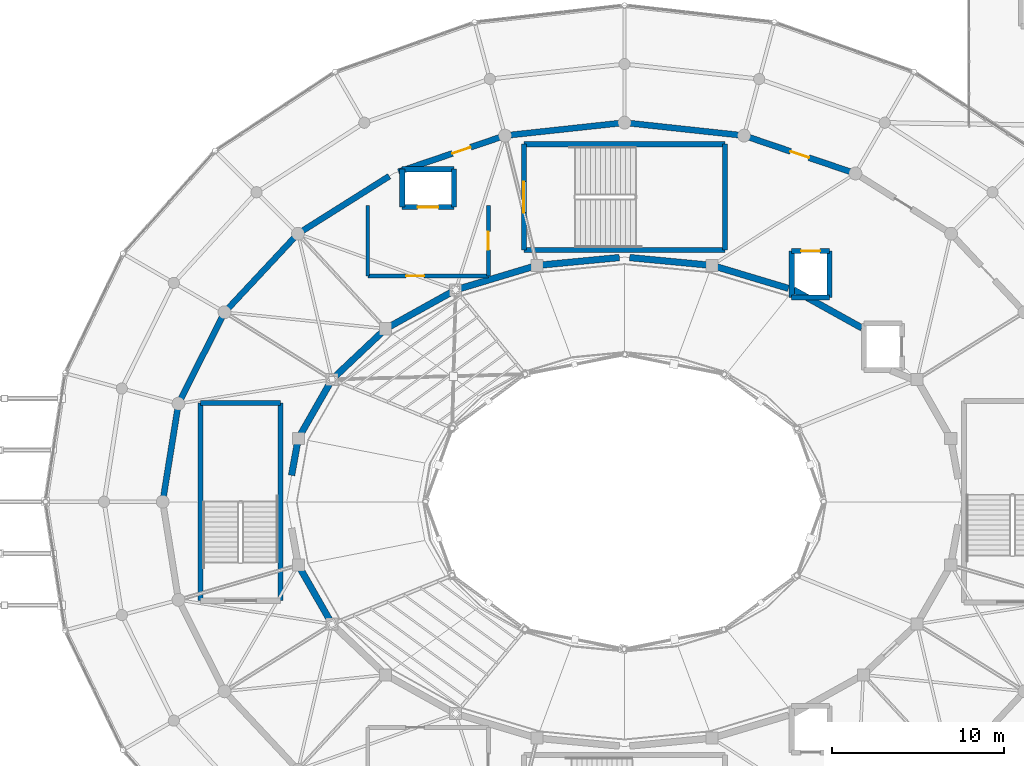
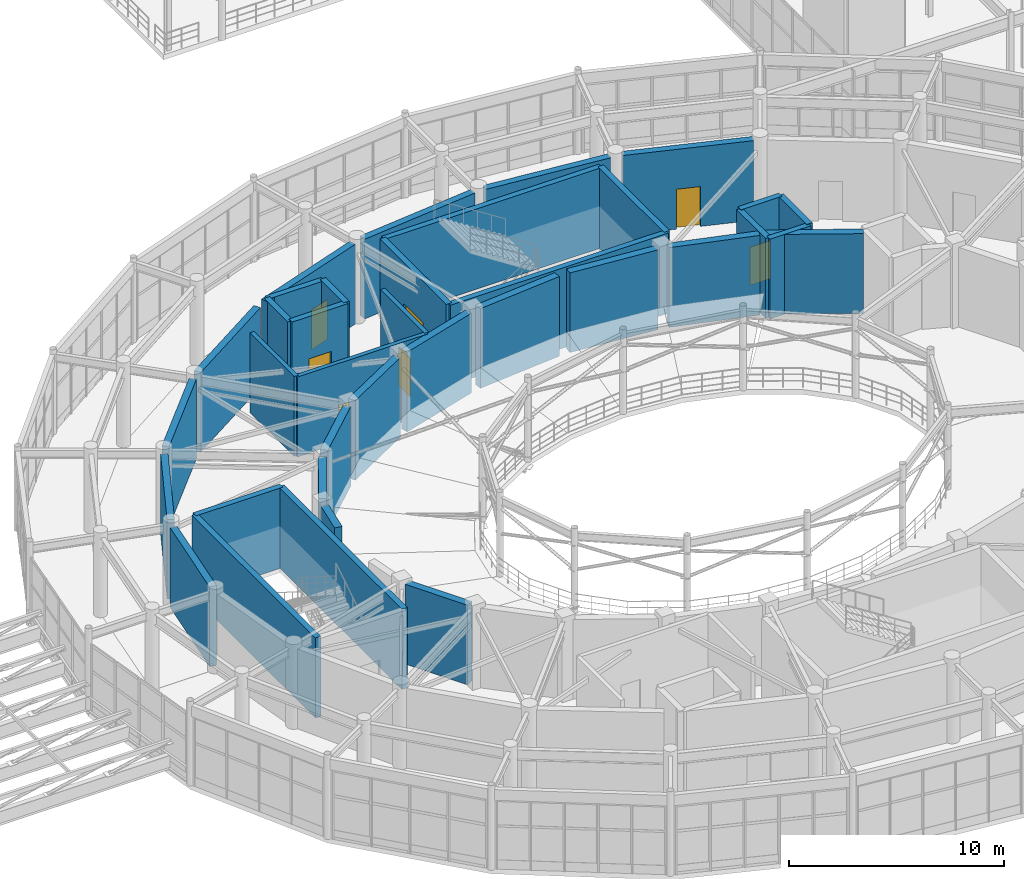
# One storey, part 106 of 144: 36 walls, 7 doors, 7 openings.
"""IFC4 building model written with IfcOpenShell, lengths in metres."""

from ifc_helpers import new_model, si_unit, direction, frame, frame_2d, origin, place, context, subcontext, project, spatial, rectangle, extrude, material, layer, layer_set, type_object, element, fill, save


model = new_model("IFC4")

# Units and contexts
model_context = context("Model", 3, precision=1e-05, world=origin(), true_north=direction((0.0, 1.0)))
body_context = subcontext(model_context, "Body", "Model", "MODEL_VIEW")
ifc_project = project(units=[si_unit("LENGTHUNIT", "METRE"), si_unit("AREAUNIT", "SQUARE_METRE"), si_unit("VOLUMEUNIT", "CUBIC_METRE"), si_unit("PLANEANGLEUNIT", "RADIAN"), si_unit("MASSUNIT", "GRAM", prefix="KILO")], contexts=[model_context])

# Site, building, storey
site_placement = place(None, origin())
site = spatial("IfcSite", under=ifc_project, at=site_placement, CompositionType="ELEMENT")
building_placement = place(site_placement, origin())
building = spatial("IfcBuilding", under=site, at=building_placement, Name="Cinderbank Siding Concert Hall", CompositionType="ELEMENT")
storey_placement = place(building_placement, frame((0.0, 0.0, 5.39990234375)))
storey = spatial("IfcBuildingStorey", under=building, at=storey_placement, Name="L02", CompositionType="ELEMENT", Elevation=5.39990234375)

# Walls
ifc_material_1 = material(Name="Reinforced concrete AS 3600 N50 (50 MPa)", Category="concrete")
ifc_layer_1 = layer(ifc_material_1, 0.3798828125)
ifc_layer_set_1 = layer_set([ifc_layer_1], Name="Reinforced concrete AS 3600 N50 (50 MPa)")
wall_type_1 = type_object("IfcWallType", Name="WL-01 Structural Wall 380mm", PredefinedType="SOLIDWALL", material=ifc_layer_set_1)
wall_1_placement = place(storey_placement, frame((135.77197265625, 54.089599609375, 0.0), z_axis=(0.0, 0.0, 1.0), x_axis=(-0.874028004615, 0.485875546975, 0.0)))
element("IfcWall", 1, at=wall_1_placement, inside=storey, type_object=wall_type_1, Name="L02 Structural Wall SW-E1-L02-04", PredefinedType="SOLIDWALL", context=body_context, shape_type="SweptSolid", body=[
    extrude(rectangle(XDim=4.54443359375, YDim=0.3798828125, at=frame_2d((2.272216796875, 0.0))), origin(), (0.0, 0.0, 1.0), 4.52001953125),
])
wall_2_placement = place(storey_placement, frame((131.5126953125, 56.3837890625, 0.0), z_axis=(0.0, 0.0, 1.0), x_axis=(-0.957796933165, 0.287445707604, 0.0)))
element("IfcWall", 2, at=wall_2_placement, inside=storey, type_object=wall_type_1, Name="L02 Structural Wall SW-E1-L02-05", PredefinedType="SOLIDWALL", context=body_context, shape_type="SweptSolid", body=[
    extrude(rectangle(XDim=4.350341796875, YDim=0.3798828125, at=frame_2d((2.17529296875, 0.0))), origin(), (0.0, 0.0, 1.0), 4.52001953125),
])
for number, where, z_axis, x_axis, name in (
    (3, (126.789306640625, 57.7431640625, 0.0), (0.0, 0.0, 1.0), (-0.995484276796, 0.094926575052, 0.0), "L02 Structural Wall SW-E1-L02-06"),
    (4, (121.701416015625, 58.17138671875, 0.0), (0.0, 0.0, 1.0), (-0.995484276796, -0.094926575052, 0.0), "L02 Structural Wall SW-E1-L02-07"),
):
    element("IfcWall", number, at=place(storey_placement, frame(where, z_axis=z_axis, x_axis=x_axis)), inside=storey, type_object=wall_type_1, Name=name, PredefinedType="SOLIDWALL", context=body_context, shape_type="SweptSolid", body=[
        extrude(rectangle(XDim=4.510986328125, YDim=0.3798828125, at=frame_2d((2.25537109375, 0.0))), origin(), (0.0, 0.0, 1.0), 4.52001953125),
    ])
wall_3_placement = place(storey_placement, frame((116.654052734375, 57.63427734375, 0.0), z_axis=(0.0, 0.0, 1.0), x_axis=(-0.957792414988, -0.287460762177, 0.0)))
element("IfcWall", 5, at=wall_3_placement, inside=storey, type_object=wall_type_1, Name="L02 Structural Wall SW-E1-L02-08", PredefinedType="SOLIDWALL", context=body_context, shape_type="SweptSolid", body=[
    extrude(rectangle(XDim=4.365478515625, YDim=0.3798828125, at=frame_2d((2.1826171875, 0.0))), origin(), (0.0, 0.0, 1.0), 4.52001953125),
])
wall_4_placement = place(storey_placement, frame((111.950927734375, 56.1591796875, 0.0), z_axis=(0.0, 0.0, 1.0), x_axis=(-0.87401308715, -0.485902380618, 0.0)))
element("IfcWall", 6, at=wall_4_placement, inside=storey, type_object=wall_type_1, Name="L02 Structural Wall SW-E1-L02-09", PredefinedType="SOLIDWALL", context=body_context, shape_type="SweptSolid", body=[
    extrude(rectangle(XDim=4.074462890625, YDim=0.3798828125, at=frame_2d((2.037109375, 0.0))), origin(), (0.0, 0.0, 1.0), 4.52001953125),
])
wall_5_placement = place(storey_placement, frame((107.93359375, 53.84521484375, 0.0), z_axis=(0.0, 0.0, 1.0), x_axis=(-0.727127996206, -0.686501913423, 0.0)))
element("IfcWall", 7, at=wall_5_placement, inside=storey, type_object=wall_type_1, Name="L02 Structural Wall SW-E1-L02-10", PredefinedType="SOLIDWALL", context=body_context, shape_type="SweptSolid", body=[
    extrude(rectangle(XDim=3.7138671875, YDim=0.3798828125, at=frame_2d((1.85693359375, 0.0))), origin(), (0.0, 0.0, 1.0), 4.52001953125),
])
wall_6_placement = place(storey_placement, frame((104.884521484375, 50.8525390625, 0.0), z_axis=(0.0, 0.0, 1.0), x_axis=(-0.496318106012, -0.868140736082, 0.0)))
element("IfcWall", 8, at=wall_6_placement, inside=storey, type_object=wall_type_1, Name="L02 Structural Wall SW-E1-L02-11", PredefinedType="SOLIDWALL", context=body_context, shape_type="SweptSolid", body=[
    extrude(rectangle(XDim=3.375, YDim=0.3798828125, at=frame_2d((1.6875, 0.0))), origin(), (0.0, 0.0, 1.0), 4.52001953125),
])
wall_7_placement = place(storey_placement, frame((103.016845703125, 47.394775390625, 0.0), z_axis=(0.0, 0.0, 1.0), x_axis=(-0.178749049923, -0.983894698203, 0.0)))
element("IfcWall", 9, at=wall_7_placement, inside=storey, type_object=wall_type_1, Name="L02 Structural Wall SW-E1-L02-12", PredefinedType="SOLIDWALL", context=body_context, shape_type="SweptSolid", body=[
    extrude(rectangle(XDim=1.890380859375, YDim=0.3798828125, at=frame_2d((0.9453125, 0.0))), origin(), (0.0, 0.0, 1.0), 4.52001953125),
])
wall_8_placement = place(storey_placement, frame((103.20947265625, 40.077392578125, 0.0), z_axis=(0.0, 0.0, 1.0), x_axis=(0.496318106012, -0.868140736082, 0.0)))
element("IfcWall", 10, at=wall_8_placement, inside=storey, type_object=wall_type_1, Name="L02 Structural Wall SW-E1-L02-14", PredefinedType="SOLIDWALL", context=body_context, shape_type="SweptSolid", body=[
    extrude(rectangle(XDim=3.375, YDim=0.3798828125, at=frame_2d((1.6875, 0.0))), origin(), (0.0, 0.0, 1.0), 4.52001953125),
])

# Wall, opening, door
ifc_layer_2 = layer(ifc_material_1, 0.35009765625)
ifc_layer_set_2 = layer_set([ifc_layer_2], Name="Reinforced concrete AS 3600 N50 (50 MPa)")
wall_type_2 = type_object("IfcWallType", Name="WL-02 Structural Wall 350mm", PredefinedType="SHEAR", material=ifc_layer_set_2)
wall_9_placement = place(storey_placement, frame((135.1064453125, 63.15234375, 0.0), z_axis=(0.0, 0.0, 1.0), x_axis=(-0.946758358714, 0.321945042213, 0.0)))
wall_9 = element("IfcWall", 11, at=wall_9_placement, inside=storey, type_object=wall_type_2, Name="L02 Structural Wall SW-E2-L02-05", PredefinedType="SHEAR", context=body_context, shape_type="SweptSolid", body=[
    extrude(rectangle(XDim=6.20703125, YDim=0.35009765625, at=frame_2d((3.103515625, 0.0))), origin(), (0.0, 0.0, 1.0), 4.52001953125),
])
opening_1_placement = place(wall_9_placement, frame((2.54345703125, 0.0, 0.0)))
opening_1 = element("IfcOpeningElement", 12, at=opening_1_placement, cuts=wall_9, Name="Opening D-19", PredefinedType="OPENING", context=body_context, shape_type="SweptSolid", body=[
    extrude(rectangle(XDim=1.1201171875, YDim=2.260009765625, at=frame_2d((0.56005859375, 1.1298828125))), frame((0.0, 0.18701171875, 0.0), z_axis=(0.0, -1.0, 0.0), x_axis=(1.0, 0.0, 0.0)), (0.0, 0.0, 1.0), 0.3740234375),
])
ifc_material_2 = material(Name="Solid-core spotted gum acoustic timber", Category="wood")
door_type_1 = type_object("IfcDoorType", Name="D-19 Interior Door 1120x2260", OperationType="NOTDEFINED", PredefinedType="DOOR", material=ifc_material_2)
door_1_placement = place(opening_1_placement, origin())
door_1 = element("IfcDoor", 13, at=door_1_placement, inside=storey, type_object=door_type_1, Name="L02 Auditorium Sound-Lock Door L02-D135", OperationType="SINGLE_SWING_RIGHT", OverallHeight=2.260009765625, OverallWidth=1.1201171875, PredefinedType="DOOR", context=body_context, shape_type="SweptSolid", body=[
    extrude(rectangle(XDim=1.1201171875, YDim=2.260009765625, at=frame_2d((0.56005859375, 1.1298828125))), frame((0.0, 0.02490234375, 0.0), z_axis=(0.0, -1.0, 0.0), x_axis=(1.0, 0.0, 0.0)), (0.0, 0.0, 1.0), 0.050048828125),
])
fill(opening_1, door_1)

# Walls
for number, where, z_axis, x_axis, name in (
    (14, (128.628173828125, 65.28369140625, 0.0), (0.0, 0.0, 1.0), (-0.99420948753, 0.107459270912, 0.0), "L02 Structural Wall SW-E2-L02-06"),
    (15, (121.69189453125, 65.966796875, 0.0), (0.0, 0.0, 1.0), (-0.99420948753, -0.107459270912, 0.0), "L02 Structural Wall SW-E2-L02-07"),
):
    element("IfcWall", number, at=place(storey_placement, frame(where, z_axis=z_axis, x_axis=x_axis)), inside=storey, type_object=wall_type_2, Name=name, PredefinedType="SHEAR", context=body_context, shape_type="SweptSolid", body=[
        extrude(rectangle(XDim=6.35693359375, YDim=0.35009765625, at=frame_2d((3.178466796875, 0.0))), origin(), (0.0, 0.0, 1.0), 4.52001953125),
    ])

# Wall, opening, door
wall_10_placement = place(storey_placement, frame((114.77001953125, 65.150634765625, 0.0), z_axis=(0.0, 0.0, 1.0), x_axis=(-0.946761494057, -0.321935821821, 0.0)))
wall_10 = element("IfcWall", 16, at=wall_10_placement, inside=storey, type_object=wall_type_2, Name="L02 Structural Wall SW-E2-L02-08", PredefinedType="SHEAR", context=body_context, shape_type="SweptSolid", body=[
    extrude(rectangle(XDim=6.217041015625, YDim=0.35009765625, at=frame_2d((3.1083984375, 0.0))), origin(), (0.0, 0.0, 1.0), 4.52001953125),
])
opening_2_placement = place(wall_10_placement, frame((1.798583984375, 0.0, 0.0)))
opening_2 = element("IfcOpeningElement", 17, at=opening_2_placement, cuts=wall_10, Name="Opening D-19", PredefinedType="OPENING", context=body_context, shape_type="SweptSolid", body=[
    extrude(rectangle(XDim=1.1201171875, YDim=2.260009765625, at=frame_2d((0.56005859375, 1.1298828125))), frame((0.0, 0.18701171875, 0.0), z_axis=(0.0, -1.0, 0.0), x_axis=(1.0, 0.0, 0.0)), (0.0, 0.0, 1.0), 0.3740234375),
])
door_2_placement = place(opening_2_placement, origin())
door_2 = element("IfcDoor", 18, at=door_2_placement, inside=storey, type_object=door_type_1, Name="L02 Auditorium Sound-Lock Door L02-D136", OperationType="SINGLE_SWING_LEFT", OverallHeight=2.260009765625, OverallWidth=1.1201171875, PredefinedType="DOOR", context=body_context, shape_type="SweptSolid", body=[
    extrude(rectangle(XDim=1.1201171875, YDim=2.260009765625, at=frame_2d((0.56005859375, 1.1298828125))), frame((0.0, 0.02490234375, 0.0), z_axis=(0.0, -1.0, 0.0), x_axis=(1.0, 0.0, 0.0)), (0.0, 0.0, 1.0), 0.050048828125),
])
fill(opening_2, door_2)

# Walls
wall_11_placement = place(storey_placement, frame((108.34619140625, 62.892578125, 0.0), z_axis=(0.0, 0.0, 1.0), x_axis=(-0.846132783073, -0.532972150688, 0.0)))
element("IfcWall", 19, at=wall_11_placement, inside=storey, type_object=wall_type_2, Name="L02 Structural Wall SW-E2-L02-09", PredefinedType="SHEAR", context=body_context, shape_type="SweptSolid", body=[
    extrude(rectangle(XDim=5.949951171875, YDim=0.35009765625, at=frame_2d((2.97509765625, 0.0))), origin(), (0.0, 0.0, 1.0), 4.52001953125),
])
wall_12_placement = place(storey_placement, frame((102.837890625, 59.329833984375, 0.0), z_axis=(0.0, 0.0, 1.0), x_axis=(-0.682886399388, -0.730524582427, 0.0)))
element("IfcWall", 20, at=wall_12_placement, inside=storey, type_object=wall_type_2, Name="L02 Structural Wall SW-E2-L02-10", PredefinedType="SHEAR", context=body_context, shape_type="SweptSolid", body=[
    extrude(rectangle(XDim=5.616943359375, YDim=0.35009765625, at=frame_2d((2.80859375, 0.0))), origin(), (0.0, 0.0, 1.0), 4.52001953125),
])
wall_13_placement = place(storey_placement, frame((98.65087890625, 54.72314453125, 0.0), z_axis=(0.0, 0.0, 1.0), x_axis=(-0.450512686904, -0.892770025784, 0.0)))
element("IfcWall", 21, at=wall_13_placement, inside=storey, type_object=wall_type_2, Name="L02 Structural Wall SW-E2-L02-11", PredefinedType="SHEAR", context=body_context, shape_type="SweptSolid", body=[
    extrude(rectangle(XDim=5.3232421875, YDim=0.35009765625, at=frame_2d((2.66162109375, 0.0))), origin(), (0.0, 0.0, 1.0), 4.52001953125),
])
wall_14_placement = place(storey_placement, frame((96.064208984375, 49.387939453125, 0.0), z_axis=(0.0, 0.0, 1.0), x_axis=(-0.158388253677, -0.98737690934, 0.0)))
element("IfcWall", 22, at=wall_14_placement, inside=storey, type_object=wall_type_2, Name="L02 Structural Wall SW-E2-L02-12", PredefinedType="SHEAR", context=body_context, shape_type="SweptSolid", body=[
    extrude(rectangle(XDim=5.146728515625, YDim=0.35009765625, at=frame_2d((2.5732421875, 0.0))), origin(), (0.0, 0.0, 1.0), 4.52001953125),
])

# Wall, opening, door
ifc_layer_3 = layer(ifc_material_1, 0.300048828125)
ifc_layer_set_3 = layer_set([ifc_layer_3], Name="Reinforced concrete AS 3600 N50 (50 MPa)")
wall_type_3 = type_object("IfcWallType", Name="WL-03 Structural Wall 300mm", PredefinedType="SHEAR", material=ifc_layer_set_3)
wall_15_placement = place(storey_placement, frame((116.159912109375, 58.610107421875, 0.0), z_axis=(0.0, 0.0, 1.0), x_axis=(0.0, 1.0, 0.0)))
wall_15 = element("IfcWall", 23, at=wall_15_placement, inside=storey, type_object=wall_type_3, Name="L02 ST-01 Core Wall ENTRY", PredefinedType="SHEAR", context=body_context, shape_type="SweptSolid", body=[
    extrude(rectangle(XDim=6.139892578125, YDim=0.300048828125, at=frame_2d((3.06982421875, 0.0))), origin(), (0.0, 0.0, 1.0), 4.550048828125),
])
opening_3_placement = place(wall_15_placement, frame((2.169921875, 0.0, 0.0)))
opening_3 = element("IfcOpeningElement", 24, at=opening_3_placement, cuts=wall_15, Name="Opening D-05", PredefinedType="OPENING", context=body_context, shape_type="SweptSolid", body=[
    extrude(rectangle(XDim=1.800048828125, YDim=2.199951171875, at=frame_2d((0.89990234375, 1.10009765625))), frame((0.0, 0.162109375, 0.0), z_axis=(0.0, -1.0, 0.0), x_axis=(1.0, 0.0, 0.0)), (0.0, 0.0, 1.0), 0.323974609375),
])
ifc_material_3 = material(Name="Galvanised sheet steel acoustic fire door assembly", Category="steel")
door_type_2 = type_object("IfcDoorType", Name="D-05 Interior Door 1800x2200", OperationType="DOUBLE_DOOR_SINGLE_SWING", PredefinedType="DOOR", material=ifc_material_3)
door_3_placement = place(opening_3_placement, origin())
door_3 = element("IfcDoor", 25, at=door_3_placement, inside=storey, type_object=door_type_2, Name="L02 ST-01 Fire Stair Door L02-D003", OperationType="DOUBLE_DOOR_SINGLE_SWING", OverallHeight=2.199951171875, OverallWidth=1.800048828125, PredefinedType="DOOR", context=body_context, shape_type="SweptSolid", body=[
    extrude(rectangle(XDim=1.800048828125, YDim=2.199951171875, at=frame_2d((0.89990234375, 1.10009765625))), frame((0.0, 0.02490234375, 0.0), z_axis=(0.0, -1.0, 0.0), x_axis=(1.0, 0.0, 0.0)), (0.0, 0.0, 1.0), 0.050048828125),
])
fill(opening_3, door_3)

# Walls
wall_16_placement = place(storey_placement, frame((127.840087890625, 64.75, 0.0), z_axis=(0.0, 0.0, 1.0), x_axis=(0.0, -1.0, 0.0)))
element("IfcWall", 26, at=wall_16_placement, inside=storey, type_object=wall_type_3, Name="L02 ST-01 Core Wall FAR", PredefinedType="SHEAR", context=body_context, shape_type="SweptSolid", body=[
    extrude(rectangle(XDim=6.139892578125, YDim=0.300048828125, at=frame_2d((3.06982421875, 0.0))), origin(), (0.0, 0.0, 1.0), 4.550048828125),
])
for number, where, z_axis, x_axis, name in (
    (27, (127.840087890625, 58.610107421875, 0.0), (0.0, 0.0, 1.0), (-1.0, 0.0, 0.0), "L02 ST-01 Core Wall SIDE1"),
    (28, (116.159912109375, 64.75, 0.0), (0.0, 0.0, 1.0), (1.0, 0.0, 0.0), "L02 ST-01 Core Wall SIDE2"),
):
    element("IfcWall", number, at=place(storey_placement, frame(where, z_axis=z_axis, x_axis=x_axis)), inside=storey, type_object=wall_type_3, Name=name, PredefinedType="SHEAR", context=body_context, shape_type="SweptSolid", body=[
        extrude(rectangle(XDim=11.68017578125, YDim=0.300048828125, at=frame_2d((5.840087890625, 0.0))), origin(), (0.0, 0.0, 1.0), 4.550048828125),
    ])
wall_17_placement = place(storey_placement, frame((97.39990234375, 49.739990234375, 0.0), z_axis=(0.0, 0.0, 1.0), x_axis=(1.0, 0.0, 0.0)))
element("IfcWall", 29, at=wall_17_placement, inside=storey, type_object=wall_type_3, Name="L02 ST-04 Core Wall FAR", PredefinedType="SHEAR", context=body_context, shape_type="SweptSolid", body=[
    extrude(rectangle(XDim=4.64013671875, YDim=0.300048828125, at=frame_2d((2.320068359375, 0.0))), origin(), (0.0, 0.0, 1.0), 4.550048828125),
])
for number, where, z_axis, x_axis, name in (
    (30, (102.0400390625, 49.739990234375, 0.0), (0.0, 0.0, 1.0), (0.0, -1.0, 0.0), "L02 ST-04 Core Wall SIDE1"),
    (31, (97.39990234375, 38.260009765625, 0.0), (0.0, 0.0, 1.0), (0.0, 1.0, 0.0), "L02 ST-04 Core Wall SIDE2"),
):
    element("IfcWall", number, at=place(storey_placement, frame(where, z_axis=z_axis, x_axis=x_axis)), inside=storey, type_object=wall_type_3, Name=name, PredefinedType="SHEAR", context=body_context, shape_type="SweptSolid", body=[
        extrude(rectangle(XDim=11.47998046875, YDim=0.300048828125, at=frame_2d((5.739990234375, 0.0))), origin(), (0.0, 0.0, 1.0), 4.550048828125),
    ])
wall_18_placement = place(storey_placement, frame((133.89990234375, 55.85009765625, 0.0), z_axis=(0.0, 0.0, 1.0), x_axis=(-1.0, 0.0, 0.0)))
element("IfcWall", 32, at=wall_18_placement, inside=storey, type_object=wall_type_3, Name="L02 LF-01 Shaft Wall -Y", PredefinedType="SHEAR", context=body_context, shape_type="SweptSolid", body=[
    extrude(rectangle(XDim=2.199951171875, YDim=0.300048828125, at=frame_2d((1.10009765625, 0.0))), origin(), (0.0, 0.0, 1.0), 4.52001953125),
])
wall_19_placement = place(storey_placement, frame((133.89990234375, 58.550048828125, 0.0), z_axis=(0.0, 0.0, 1.0), x_axis=(0.0, -1.0, 0.0)))
element("IfcWall", 33, at=wall_19_placement, inside=storey, type_object=wall_type_3, Name="L02 LF-01 Shaft Wall +X", PredefinedType="SHEAR", context=body_context, shape_type="SweptSolid", body=[
    extrude(rectangle(XDim=2.699951171875, YDim=0.300048828125, at=frame_2d((1.35009765625, 0.0))), origin(), (0.0, 0.0, 1.0), 4.550048828125),
])

# Wall, opening, door
wall_20_placement = place(storey_placement, frame((131.699951171875, 58.550048828125, 0.0), z_axis=(0.0, 0.0, 1.0), x_axis=(1.0, 0.0, 0.0)))
wall_20 = element("IfcWall", 34, at=wall_20_placement, inside=storey, type_object=wall_type_3, Name="L02 LF-01 Shaft Wall +Y", PredefinedType="SHEAR", context=body_context, shape_type="SweptSolid", body=[
    extrude(rectangle(XDim=2.199951171875, YDim=0.300048828125, at=frame_2d((1.10009765625, 0.0))), origin(), (0.0, 0.0, 1.0), 4.550048828125),
])
opening_4_placement = place(wall_20_placement, frame((0.550048828125, 0.0, 0.0)))
opening_4 = element("IfcOpeningElement", 35, at=opening_4_placement, cuts=wall_20, Name="Opening LD-01", PredefinedType="OPENING", context=body_context, shape_type="SweptSolid", body=[
    extrude(rectangle(XDim=1.10009765625, YDim=2.14990234375, at=frame_2d((0.550048828125, 1.074951171875))), frame((0.0, 0.162109375, 0.0), z_axis=(0.0, -1.0, 0.0), x_axis=(1.0, 0.0, 0.0)), (0.0, 0.0, 1.0), 0.323974609375),
])
door_type_3 = type_object("IfcDoorType", Name="LD-01 Interior Door 1100x2150", OperationType="DOUBLE_DOOR_SLIDING", PredefinedType="DOOR", material=ifc_material_3)
door_4_placement = place(opening_4_placement, origin())
door_4 = element("IfcDoor", 36, at=door_4_placement, inside=storey, type_object=door_type_3, Name="L02 LF-01 Sliding Landing Door", OperationType="DOUBLE_DOOR_SLIDING", OverallHeight=2.14990234375, OverallWidth=1.10009765625, PredefinedType="DOOR", context=body_context, shape_type="SweptSolid", body=[
    extrude(rectangle(XDim=1.10009765625, YDim=2.14990234375, at=frame_2d((0.550048828125, 1.074951171875))), frame((0.0, 0.02490234375, 0.0), z_axis=(0.0, -1.0, 0.0), x_axis=(1.0, 0.0, 0.0)), (0.0, 0.0, 1.0), 0.050048828125),
])
fill(opening_4, door_4)

# Wall
wall_21_placement = place(storey_placement, frame((131.699951171875, 55.85009765625, 0.0), z_axis=(0.0, 0.0, 1.0), x_axis=(0.0, 1.0, 0.0)))
element("IfcWall", 37, at=wall_21_placement, inside=storey, type_object=wall_type_3, Name="L02 LF-01 Shaft Wall -X", PredefinedType="SHEAR", context=body_context, shape_type="SweptSolid", body=[
    extrude(rectangle(XDim=2.699951171875, YDim=0.300048828125, at=frame_2d((1.35009765625, 0.0))), origin(), (0.0, 0.0, 1.0), 4.52001953125),
])

# Wall, opening, door
wall_22_placement = place(storey_placement, frame((112.10009765625, 61.10009765625, 0.0), z_axis=(0.0, 0.0, 1.0), x_axis=(-1.0, 0.0, 0.0)))
wall_22 = element("IfcWall", 38, at=wall_22_placement, inside=storey, type_object=wall_type_3, Name="L02 LF-04 Shaft Wall -Y", PredefinedType="SHEAR", context=body_context, shape_type="SweptSolid", body=[
    extrude(rectangle(XDim=3.0, YDim=0.300048828125, at=frame_2d((1.5, 0.0))), origin(), (0.0, 0.0, 1.0), 4.550048828125),
])
opening_5_placement = place(wall_22_placement, frame((0.89990234375, 0.0, 0.0)))
opening_5 = element("IfcOpeningElement", 39, at=opening_5_placement, cuts=wall_22, Name="Opening LD-02", PredefinedType="OPENING", context=body_context, shape_type="SweptSolid", body=[
    extrude(rectangle(XDim=1.199951171875, YDim=2.14990234375, at=frame_2d((0.60009765625, 1.074951171875))), frame((0.0, 0.162109375, 0.0), z_axis=(0.0, -1.0, 0.0), x_axis=(1.0, 0.0, 0.0)), (0.0, 0.0, 1.0), 0.323974609375),
])
door_type_4 = type_object("IfcDoorType", Name="LD-02 Interior Door 1200x2150", OperationType="DOUBLE_DOOR_SLIDING", PredefinedType="DOOR", material=ifc_material_3)
door_5_placement = place(opening_5_placement, origin())
door_5 = element("IfcDoor", 40, at=door_5_placement, inside=storey, type_object=door_type_4, Name="L02 LF-04 Sliding Landing Door", OperationType="DOUBLE_DOOR_SLIDING", OverallHeight=2.14990234375, OverallWidth=1.199951171875, PredefinedType="DOOR", context=body_context, shape_type="SweptSolid", body=[
    extrude(rectangle(XDim=1.199951171875, YDim=2.14990234375, at=frame_2d((0.60009765625, 1.074951171875))), frame((0.0, 0.02490234375, 0.0), z_axis=(0.0, -1.0, 0.0), x_axis=(1.0, 0.0, 0.0)), (0.0, 0.0, 1.0), 0.050048828125),
])
fill(opening_5, door_5)

# Walls
wall_23_placement = place(storey_placement, frame((112.10009765625, 63.300048828125, 0.0), z_axis=(0.0, 0.0, 1.0), x_axis=(0.0, -1.0, 0.0)))
element("IfcWall", 41, at=wall_23_placement, inside=storey, type_object=wall_type_3, Name="L02 LF-04 Shaft Wall +X", PredefinedType="SHEAR", context=body_context, shape_type="SweptSolid", body=[
    extrude(rectangle(XDim=2.199951171875, YDim=0.300048828125, at=frame_2d((1.10009765625, 0.0))), origin(), (0.0, 0.0, 1.0), 4.550048828125),
])
wall_24_placement = place(storey_placement, frame((109.10009765625, 63.300048828125, 0.0), z_axis=(0.0, 0.0, 1.0), x_axis=(1.0, 0.0, 0.0)))
element("IfcWall", 42, at=wall_24_placement, inside=storey, type_object=wall_type_3, Name="L02 LF-04 Shaft Wall +Y", PredefinedType="SHEAR", context=body_context, shape_type="SweptSolid", body=[
    extrude(rectangle(XDim=3.0, YDim=0.300048828125, at=frame_2d((1.5, 0.0))), origin(), (0.0, 0.0, 1.0), 4.52001953125),
])
wall_25_placement = place(storey_placement, frame((109.10009765625, 61.10009765625, 0.0), z_axis=(0.0, 0.0, 1.0), x_axis=(0.0, 1.0, 0.0)))
element("IfcWall", 43, at=wall_25_placement, inside=storey, type_object=wall_type_3, Name="L02 LF-04 Shaft Wall -X", PredefinedType="SHEAR", context=body_context, shape_type="SweptSolid", body=[
    extrude(rectangle(XDim=2.199951171875, YDim=0.300048828125, at=frame_2d((1.10009765625, 0.0))), origin(), (0.0, 0.0, 1.0), 4.52001953125),
])

# Wall, opening, door
ifc_layer_4 = layer(ifc_material_1, 0.219970703125)
ifc_layer_set_4 = layer_set([ifc_layer_4], Name="Reinforced concrete AS 3600 N50 (50 MPa)")
wall_type_4 = type_object("IfcWallType", Name="WL-06 Interior Wall 220mm", PredefinedType="SOLIDWALL", material=ifc_layer_set_4)
wall_26_placement = place(storey_placement, frame((114.10009765625, 57.10009765625, 0.0), z_axis=(0.0, 0.0, 1.0), x_axis=(-1.0, 0.0, 0.0)))
wall_26 = element("IfcWall", 44, at=wall_26_placement, inside=storey, type_object=wall_type_4, Name="L02 Firefighting Lobby Wall FFLN-S", PredefinedType="SOLIDWALL", context=body_context, shape_type="SweptSolid", body=[
    extrude(rectangle(XDim=7.0, YDim=0.219970703125, at=frame_2d((3.5, 0.0))), origin(), (0.0, 0.0, 1.0), 4.53515625),
])
opening_6_placement = place(wall_26_placement, frame((3.72509765625, 0.0, 0.0)))
opening_6 = element("IfcOpeningElement", 45, at=opening_6_placement, cuts=wall_26, Name="Opening D-02", PredefinedType="OPENING", context=body_context, shape_type="SweptSolid", body=[
    extrude(rectangle(XDim=1.050048828125, YDim=2.14990234375, at=frame_2d((0.52490234375, 1.074951171875))), frame((0.0, 0.1220703125, 0.0), z_axis=(0.0, -1.0, 0.0), x_axis=(1.0, 0.0, 0.0)), (0.0, 0.0, 1.0), 0.243896484375),
])
door_type_5 = type_object("IfcDoorType", Name="D-02 Interior Door 1050x2150", OperationType="NOTDEFINED", PredefinedType="DOOR", material=ifc_material_3)
door_6_placement = place(opening_6_placement, origin())
door_6 = element("IfcDoor", 46, at=door_6_placement, inside=storey, type_object=door_type_5, Name="L02 Firefighting Lobby Door L02-D070", OperationType="SINGLE_SWING_LEFT", OverallHeight=2.14990234375, OverallWidth=1.050048828125, PredefinedType="DOOR", context=body_context, shape_type="SweptSolid", body=[
    extrude(rectangle(XDim=1.050048828125, YDim=2.14990234375, at=frame_2d((0.52490234375, 1.074951171875))), frame((0.0, 0.02490234375, 0.0), z_axis=(0.0, -1.0, 0.0), x_axis=(1.0, 0.0, 0.0)), (0.0, 0.0, 1.0), 0.050048828125),
])
fill(opening_6, door_6)

# Wall
wall_27_placement = place(storey_placement, frame((107.10009765625, 57.10009765625, 0.0), z_axis=(0.0, 0.0, 1.0), x_axis=(0.0, 1.0, 0.0)))
element("IfcWall", 47, at=wall_27_placement, inside=storey, type_object=wall_type_4, Name="L02 Firefighting Lobby Wall FFLN-W", PredefinedType="SOLIDWALL", context=body_context, shape_type="SweptSolid", body=[
    extrude(rectangle(XDim=4.099853515625, YDim=0.219970703125, at=frame_2d((2.0498046875, 0.0))), origin(), (0.0, 0.0, 1.0), 4.53515625),
])

# Wall, opening, door
wall_28_placement = place(storey_placement, frame((114.10009765625, 61.199951171875, 0.0), z_axis=(0.0, 0.0, 1.0), x_axis=(0.0, -1.0, 0.0)))
wall_28 = element("IfcWall", 48, at=wall_28_placement, inside=storey, type_object=wall_type_4, Name="L02 Firefighting Lobby Wall FFLN-E", PredefinedType="SOLIDWALL", context=body_context, shape_type="SweptSolid", body=[
    extrude(rectangle(XDim=4.099853515625, YDim=0.219970703125, at=frame_2d((2.0498046875, 0.0))), origin(), (0.0, 0.0, 1.0), 4.53515625),
])
opening_7_placement = place(wall_28_placement, frame((1.52490234375, 0.0, 0.0)))
opening_7 = element("IfcOpeningElement", 49, at=opening_7_placement, cuts=wall_28, Name="Opening D-02", PredefinedType="OPENING", context=body_context, shape_type="SweptSolid", body=[
    extrude(rectangle(XDim=1.050048828125, YDim=2.14990234375, at=frame_2d((0.52490234375, 1.074951171875))), frame((0.0, 0.1220703125, 0.0), z_axis=(0.0, -1.0, 0.0), x_axis=(1.0, 0.0, 0.0)), (0.0, 0.0, 1.0), 0.243896484375),
])
door_7_placement = place(opening_7_placement, origin())
door_7 = element("IfcDoor", 50, at=door_7_placement, inside=storey, type_object=door_type_5, Name="L02 Firefighting Lobby Door L02-D071", OperationType="SINGLE_SWING_RIGHT", OverallHeight=2.14990234375, OverallWidth=1.050048828125, PredefinedType="DOOR", context=body_context, shape_type="SweptSolid", body=[
    extrude(rectangle(XDim=1.050048828125, YDim=2.14990234375, at=frame_2d((0.52490234375, 1.074951171875))), frame((0.0, 0.02490234375, 0.0), z_axis=(0.0, -1.0, 0.0), x_axis=(1.0, 0.0, 0.0)), (0.0, 0.0, 1.0), 0.050048828125),
])
fill(opening_7, door_7)

save(model, "model.ifc")
